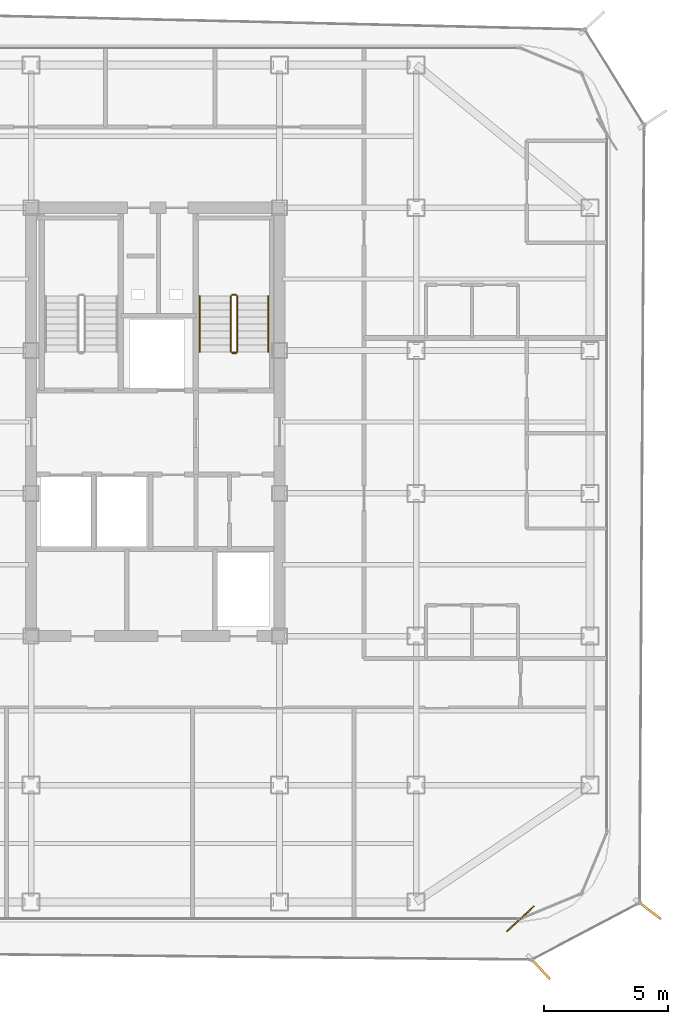
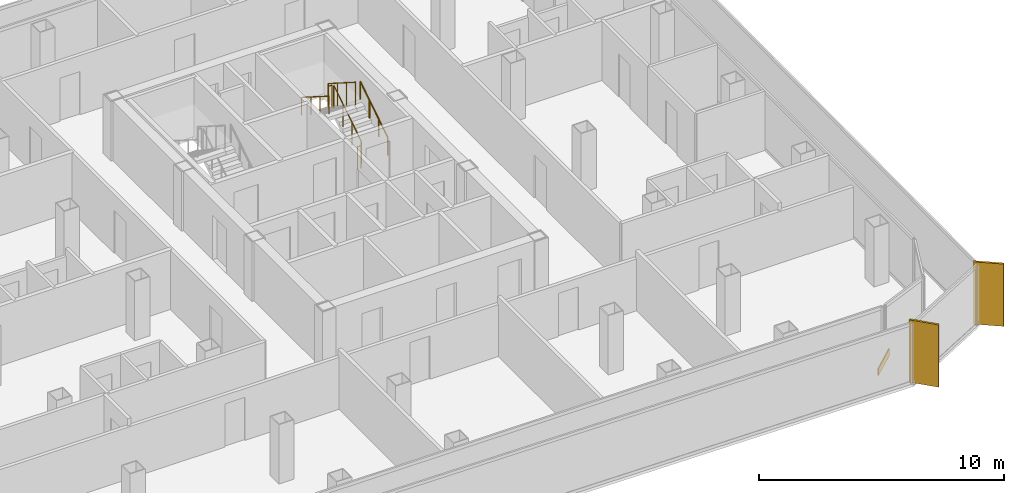
# One storey, part 14 of 15: 6 railings, 2 shading devices, 1 covering.
"""IFC4 building model written with IfcOpenShell, lengths in metres."""

import ifcopenshell
import ifcopenshell.guid

model = None  # the IFC model being written
_history = None  # IfcOwnerHistory: only IFC2X3 demands one
_inside = {}  # id of a spatial element -> (the spatial element, [elements in it])
_under = {}  # id of a project, library or spatial element -> (it, [spatial elements below it])
_declared = {}  # id of a project -> (the project, [libraries it declares])
_typed = {}  # id of a type object -> (the type object, [elements of that type])
_made_of = {}  # id of a material, layer set ... -> (it, [elements and type objects made of it])


def new_model(schema):
    """Start an empty IFC model of exactly this schema.

    Asked for "IFC4X3", IfcOpenShell would pick the latest addendum, in which some entities
    have other attributes; the version numbers below select the first issue.
    IFC2X3 requires an IfcOwnerHistory on every rooted entity: one is made here for all.
    """
    global model, _history
    if schema == "IFC4X3":
        model = ifcopenshell.file(schema_version=(4, 3, 0, 0))
    else:
        model = ifcopenshell.file(schema=schema)
    _inside.clear()
    _under.clear()
    _declared.clear()
    _typed.clear()
    _made_of.clear()
    _history = None
    if model.schema == "IFC2X3":
        org = make("IfcOrganization", Name="unknown")
        user = make(
            "IfcPersonAndOrganization",
            ThePerson=make("IfcPerson", FamilyName="unknown"),
            TheOrganization=org,
        )
        app = make(
            "IfcApplication",
            ApplicationDeveloper=org,
            Version="unknown",
            ApplicationFullName="unknown",
            ApplicationIdentifier="unknown",
        )
        _history = make(
            "IfcOwnerHistory",
            OwningUser=user,
            OwningApplication=app,
            ChangeAction="ADDED",
            CreationDate=0,
        )
    return model


def make(cls, **values):
    """One entity of the class cls with the attributes given. An attribute that is None is left unset."""
    return model.create_entity(
        cls, **{name: value for name, value in values.items() if value is not None}
    )


def rooted(cls, **values):
    """An entity with a GlobalId (a new one), such as an element, a storey or a relation."""
    return make(cls, GlobalId=ifcopenshell.guid.new(), OwnerHistory=_history, **values)


def si_unit(unit_type, name, prefix=None):
    """IfcSIUnit, for example si_unit("LENGTHUNIT", "METRE", prefix="MILLI")."""
    return make("IfcSIUnit", UnitType=unit_type, Prefix=prefix, Name=name)


def assignment(units):
    """IfcUnitAssignment: the units of a project."""
    return None if units is None else make("IfcUnitAssignment", Units=units)


def point(xyz):
    """IfcCartesianPoint."""
    return None if xyz is None else make("IfcCartesianPoint", Coordinates=xyz)


def direction(xyz):
    """IfcDirection."""
    return None if xyz is None else make("IfcDirection", DirectionRatios=xyz)


def frame(location, z_axis=None, x_axis=None):
    """IfcAxis2Placement3D, a coordinate frame: its origin and axes. An axis left out is left unset."""
    return make(
        "IfcAxis2Placement3D",
        Location=point(location),
        Axis=direction(z_axis),
        RefDirection=direction(x_axis),
    )


def frame_2d(location, x_axis=None):
    """IfcAxis2Placement2D, a coordinate frame in the plane: its origin and x axis."""
    return make(
        "IfcAxis2Placement2D", Location=point(location), RefDirection=direction(x_axis)
    )


def origin():
    """The frame at (0, 0, 0) with its axes left unset."""
    return frame((0.0, 0.0, 0.0))


def origin_2d():
    """The frame at (0, 0) in the plane with its x axis left unset."""
    return frame_2d((0.0, 0.0))


def place(relative_to, where):
    """IfcLocalPlacement: puts the frame where relative to a parent placement (None: the world)."""
    return make(
        "IfcLocalPlacement", PlacementRelTo=relative_to, RelativePlacement=where
    )


def context(
    kind, dimensions, precision=None, world=None, true_north=None, identifier=None
):
    """IfcGeometricRepresentationContext, for example the 3D "Model" context."""
    return make(
        "IfcGeometricRepresentationContext",
        ContextIdentifier=identifier,
        ContextType=kind,
        CoordinateSpaceDimension=dimensions,
        Precision=precision,
        WorldCoordinateSystem=world,
        TrueNorth=true_north,
    )


def subcontext(parent, identifier, kind, view, scale=None):
    """IfcGeometricRepresentationSubContext, for example "Body" below "Model"."""
    return make(
        "IfcGeometricRepresentationSubContext",
        ContextIdentifier=identifier,
        ContextType=kind,
        ParentContext=parent,
        TargetScale=scale,
        TargetView=view,
    )


def project(units=None, contexts=None):
    """IfcProject with its units and contexts."""
    return rooted(
        "IfcProject",
        Name="project",
        RepresentationContexts=contexts,
        UnitsInContext=assignment(units),
    )


def spatial(cls, under=None, at=None, **own):
    """A site, building, storey or space (cls), placed at a placement, below another one or the project."""
    s = rooted(cls, ObjectPlacement=at, **own)
    if under is not None:
        _under.setdefault(under.id(), (under, []))[1].append(s)
    return s


def profile(cls, at=None, kind="AREA", **sizes):
    """A parametric profile (cls). Its sizes go by their IFC names, for example OverallWidth=200.0."""
    return make(cls, ProfileType=kind, Position=at, **sizes)


def rectangle(**sizes):
    """IfcRectangleProfileDef."""
    return profile("IfcRectangleProfileDef", **sizes)


def circle(**sizes):
    """IfcCircleProfileDef."""
    return profile("IfcCircleProfileDef", **sizes)


def extrude(swept, where, along, depth):
    """IfcExtrudedAreaSolid: the profile swept, set in the frame where, extruded along a direction by depth."""
    return make(
        "IfcExtrudedAreaSolid",
        SweptArea=swept,
        Position=where,
        ExtrudedDirection=direction(along),
        Depth=depth,
    )


def shape(context_of_items, identifier, shape_type, items):
    """IfcShapeRepresentation: the items that make up one representation, for example the "Body"."""
    return make(
        "IfcShapeRepresentation",
        ContextOfItems=context_of_items,
        RepresentationIdentifier=identifier,
        RepresentationType=shape_type,
        Items=items,
    )


def source(mapping_origin, context_of_items, identifier, shape_type, items):
    """IfcRepresentationMap: a shape defined once, which mapped items show again and again."""
    return make(
        "IfcRepresentationMap",
        MappingOrigin=mapping_origin,
        MappedRepresentation=shape(context_of_items, identifier, shape_type, items),
    )


def transform(
    local_origin,
    x_axis=None,
    y_axis=None,
    z_axis=None,
    scale=None,
    scale2=None,
    scale3=None,
    uniform=True,
):
    """IfcCartesianTransformationOperator3D, or its non-uniform kind. x_axis, y_axis, z_axis: its Axis1, 2, 3."""
    if uniform:
        return make(
            "IfcCartesianTransformationOperator3D",
            Axis1=direction(x_axis),
            Axis2=direction(y_axis),
            LocalOrigin=point(local_origin),
            Scale=scale,
            Axis3=direction(z_axis),
        )
    return make(
        "IfcCartesianTransformationOperator3DnonUniform",
        Axis1=direction(x_axis),
        Axis2=direction(y_axis),
        LocalOrigin=point(local_origin),
        Scale=scale,
        Axis3=direction(z_axis),
        Scale2=scale2,
        Scale3=scale3,
    )


def mapped(mapping_source, mapping_target):
    """IfcMappedItem: shows the shape of a source again, moved by a transform."""
    return make(
        "IfcMappedItem", MappingSource=mapping_source, MappingTarget=mapping_target
    )


def material(Name=None, Category=None):
    """IfcMaterial."""
    return make("IfcMaterial", Name=Name, Category=Category)


def layer(
    of_material, thickness, ventilated=None, Name=None, Category=None, Priority=None
):
    """IfcMaterialLayer: one layer of a wall or slab, of a material (None: an air gap)."""
    return make(
        "IfcMaterialLayer",
        Material=of_material,
        LayerThickness=thickness,
        IsVentilated=ventilated,
        Name=Name,
        Category=Category,
        Priority=Priority,
    )


def layer_set(layers, Name=None):
    """IfcMaterialLayerSet."""
    return make("IfcMaterialLayerSet", MaterialLayers=layers, LayerSetName=Name)


def made_of(thing, what):
    """Note that an element or type object is made of a material, layer set ...; save() writes the relation."""
    if what is not None:
        _made_of.setdefault(what.id(), (what, []))[1].append(thing)
    return thing


def type_object(cls, material=None, **own):
    """A type object (cls), such as IfcWallType, which elements share."""
    return made_of(rooted(cls, **own), material)


def element(
    cls,
    number,
    at=None,
    inside=None,
    cuts=None,
    type_object=None,
    material=None,
    context=None,
    identifier="Body",
    shape_type=None,
    held_by="IfcProductDefinitionShape",
    body=None,
    shapes=None,
    **own,
):
    """One element of the class cls, such as IfcWall. Its Tag is "e" and its number.

    at: its placement. inside: the storey or other place that contains it. cuts: it is an
    opening in that element (IfcRelVoidsElement). A single representation is given by context,
    identifier, shape_type and body (its items); several are given by shapes. held_by: the class
    of the entity that holds the representations. save() writes the other relations.
    """
    e = rooted(cls, Tag="e%d" % number, ObjectPlacement=at, **own)
    if body is not None:
        shapes = [shape(context, identifier, shape_type, body)]
    if shapes is not None:
        e.Representation = make(held_by, Representations=shapes)
    if inside is not None:
        _inside.setdefault(inside.id(), (inside, []))[1].append(e)
    if cuts is not None:
        rooted(
            "IfcRelVoidsElement", RelatingBuildingElement=cuts, RelatedOpeningElement=e
        )
    if type_object is not None:
        _typed.setdefault(type_object.id(), (type_object, []))[1].append(e)
    return made_of(e, material)


def aggregate(whole, parts):
    """IfcRelAggregates: a whole, such as a stair, and the parts it consists of."""
    return rooted("IfcRelAggregates", RelatingObject=whole, RelatedObjects=parts)


def save(model, path):
    """Write the relations noted so far, then the file.

    IfcRelAggregates (storeys below a building ...), IfcRelContainedInSpatialStructure (elements
    in a storey), IfcRelDefinesByType, IfcRelAssociatesMaterial and IfcRelDeclares: one each for
    every whole, place, type object, material and project.
    """
    for whole, parts in _under.values():
        aggregate(whole, parts)
    for where, things in _inside.values():
        rooted(
            "IfcRelContainedInSpatialStructure",
            RelatedElements=things,
            RelatingStructure=where,
        )
    for kind, things in _typed.values():
        rooted("IfcRelDefinesByType", RelatedObjects=things, RelatingType=kind)
    for what, things in _made_of.values():
        rooted("IfcRelAssociatesMaterial", RelatedObjects=things, RelatingMaterial=what)
    for by, libraries in _declared.values():
        rooted("IfcRelDeclares", RelatingContext=by, RelatedDefinitions=libraries)
    model.write(path)


model = new_model("IFC4")

# Units and contexts
model_context = context("Model", 3, precision=1e-05, world=origin(), true_north=direction((0.0, 1.0)))
body_context = subcontext(model_context, "Body", "Model", "MODEL_VIEW")
ifc_project = project(units=[si_unit("LENGTHUNIT", "METRE"), si_unit("AREAUNIT", "SQUARE_METRE"), si_unit("VOLUMEUNIT", "CUBIC_METRE"), si_unit("PLANEANGLEUNIT", "RADIAN"), si_unit("MASSUNIT", "GRAM", prefix="KILO")], contexts=[model_context])

# Site, building, storey
site_placement = place(None, origin())
site = spatial("IfcSite", under=ifc_project, at=site_placement, CompositionType="ELEMENT")
building_placement = place(site_placement, origin())
building = spatial("IfcBuilding", under=site, at=building_placement, Name="Kolveth Station Tower", CompositionType="ELEMENT")
storey_placement = place(building_placement, frame((0.0, 0.0, 196.39990234375)))
storey = spatial("IfcBuildingStorey", under=building, at=storey_placement, Name="L55", CompositionType="ELEMENT", Elevation=196.39990234375)

# Railings
ifc_material_1 = material(Name="Painted Steel S355 balustrade", Category="steel")
railing_type_1 = type_object("IfcRailingType", Name="Guard_GR2", PredefinedType="BALUSTRADE", material=ifc_material_1)
railing_1_placement = place(storey_placement, frame((26.800048828125, 22.949951171875, 0.177978515625)))
element("IfcRailing", 1, at=railing_1_placement, inside=storey, type_object=railing_type_1, Name="L55 ST2 stair guard 1", PredefinedType="BALUSTRADE", context=body_context, shape_type="SweptSolid", body=[
    extrude(circle(Radius=0.02392578125, at=origin_2d()), frame((0.0, 0.0, 1.1259765625), z_axis=(0.0, 0.8442293374, 0.53598211339), x_axis=(-1.0, 0.0, 0.0)), (0.0, 0.0, 1.0), 2.6533203125),
    extrude(circle(Radius=0.02099609375, at=origin_2d()), origin(), (0.0, 0.0, 1.0), 1.101806640625),
    extrude(circle(Radius=0.02099609375, at=origin_2d()), frame((0.0, 0.74658203125, 0.47412109375)), (0.0, 0.0, 1.0), 1.101806640625),
    extrude(circle(Radius=0.02099609375, at=origin_2d()), frame((0.0, 1.493408203125, 0.947998046875)), (0.0, 0.0, 1.0), 1.101806640625),
    extrude(circle(Radius=0.02099609375, at=origin_2d()), frame((0.0, 2.239990234375, 1.422119140625)), (0.0, 0.0, 1.0), 1.101806640625),
])
railing_2_placement = place(storey_placement, frame((26.75, 25.239990234375, 1.60009765625)))
element("IfcRailing", 2, at=railing_2_placement, inside=storey, type_object=railing_type_1, Name="L55 ST2 stair guard 2", PredefinedType="BALUSTRADE", context=body_context, shape_type="SweptSolid", body=[
    extrude(circle(Radius=0.02392578125, at=origin_2d()), frame((0.0, 0.0, 1.1259765625), z_axis=(-1.0, 0.0, 0.0), x_axis=(0.0, -1.0, 0.0)), (0.0, 0.0, 1.0), 0.159912109375),
    extrude(circle(Radius=0.02099609375, at=origin_2d()), origin(), (0.0, 0.0, 1.0), 1.101806640625),
    extrude(circle(Radius=0.02099609375, at=origin_2d()), frame((-0.159912109375, 0.0, 0.0)), (0.0, 0.0, 1.0), 1.101806640625),
])
railing_3_placement = place(storey_placement, frame((26.5400390625, 25.18994140625, 1.77783203125)))
element("IfcRailing", 3, at=railing_3_placement, inside=storey, type_object=railing_type_1, Name="L55 ST2 stair guard 3", PredefinedType="BALUSTRADE", context=body_context, shape_type="SweptSolid", body=[
    extrude(circle(Radius=0.02392578125, at=origin_2d()), frame((0.0, 0.0, 1.1259765625), z_axis=(0.0, -0.84418770128, 0.536047689118), x_axis=(1.0, 0.0, 0.0)), (0.0, 0.0, 1.0), 2.6533203125),
    extrude(circle(Radius=0.02099609375, at=origin_2d()), origin(), (0.0, 0.0, 1.0), 1.101806640625),
    extrude(circle(Radius=0.02099609375, at=origin_2d()), frame((0.0, -0.74658203125, 0.47412109375)), (0.0, 0.0, 1.0), 1.101806640625),
    extrude(circle(Radius=0.02099609375, at=origin_2d()), frame((0.0, -1.493408203125, 0.9482421875)), (0.0, 0.0, 1.0), 1.101806640625),
    extrude(circle(Radius=0.02099609375, at=origin_2d()), frame((0.0, -2.239990234375, 1.42236328125)), (0.0, 0.0, 1.0), 1.101806640625),
])
railing_4_placement = place(storey_placement, frame((26.75, 22.89990234375, 0.0)))
element("IfcRailing", 4, at=railing_4_placement, inside=storey, type_object=railing_type_1, Name="L55 ST2 stair guard 4", PredefinedType="BALUSTRADE", context=body_context, shape_type="SweptSolid", body=[
    extrude(circle(Radius=0.02392578125, at=origin_2d()), frame((0.0, 0.0, 1.1259765625), z_axis=(-1.0, 0.0, 0.0), x_axis=(0.0, -1.0, 0.0)), (0.0, 0.0, 1.0), 0.159912109375),
    extrude(circle(Radius=0.02099609375, at=origin_2d()), origin(), (0.0, 0.0, 1.0), 1.101806640625),
    extrude(circle(Radius=0.02099609375, at=origin_2d()), frame((-0.159912109375, 0.0, 0.0)), (0.0, 0.0, 1.0), 1.101806640625),
])
ifc_material_2 = material(Name="Brushed stainless steel", Category="steel")
railing_type_2 = type_object("IfcRailingType", Name="Handrail_HR1", PredefinedType="HANDRAIL", material=ifc_material_2)
railing_5_placement = place(storey_placement, frame((28.050048828125, 22.949951171875, 0.177978515625)))
element("IfcRailing", 5, at=railing_5_placement, inside=storey, type_object=railing_type_2, Name="L55 ST2 stair handrail 1", PredefinedType="HANDRAIL", context=body_context, shape_type="SweptSolid", body=[
    extrude(circle(Radius=0.02392578125, at=origin_2d()), frame((0.0, 0.0, 0.8759765625), z_axis=(0.0, 0.8442293374, 0.53598211339), x_axis=(-1.0, 0.0, 0.0)), (0.0, 0.0, 1.0), 2.6533203125),
    extrude(circle(Radius=0.02099609375, at=origin_2d()), origin(), (0.0, 0.0, 1.0), 0.851806640625),
    extrude(circle(Radius=0.02099609375, at=origin_2d()), frame((0.0, 0.74658203125, 0.47412109375)), (0.0, 0.0, 1.0), 0.851806640625),
    extrude(circle(Radius=0.02099609375, at=origin_2d()), frame((0.0, 1.493408203125, 0.947998046875)), (0.0, 0.0, 1.0), 0.851806640625),
    extrude(circle(Radius=0.02099609375, at=origin_2d()), frame((0.0, 2.239990234375, 1.422119140625)), (0.0, 0.0, 1.0), 0.851806640625),
])
railing_6_placement = place(storey_placement, frame((25.2900390625, 25.18994140625, 1.77783203125)))
element("IfcRailing", 6, at=railing_6_placement, inside=storey, type_object=railing_type_2, Name="L55 ST2 stair handrail 2", PredefinedType="HANDRAIL", context=body_context, shape_type="SweptSolid", body=[
    extrude(circle(Radius=0.02392578125, at=origin_2d()), frame((0.0, 0.0, 0.8759765625), z_axis=(0.0, -0.84418770128, 0.536047689118), x_axis=(1.0, 0.0, 0.0)), (0.0, 0.0, 1.0), 2.6533203125),
    extrude(circle(Radius=0.02099609375, at=origin_2d()), origin(), (0.0, 0.0, 1.0), 0.851806640625),
    extrude(circle(Radius=0.02099609375, at=origin_2d()), frame((0.0, -0.74658203125, 0.47412109375)), (0.0, 0.0, 1.0), 0.851806640625),
    extrude(circle(Radius=0.02099609375, at=origin_2d()), frame((0.0, -1.493408203125, 0.9482421875)), (0.0, 0.0, 1.0), 0.851806640625),
    extrude(circle(Radius=0.02099609375, at=origin_2d()), frame((0.0, -2.239990234375, 1.42236328125)), (0.0, 0.0, 1.0), 0.851806640625),
])

# Shading devices
ifc_material_3 = material(Name="Black anodized aluminium 6063-T6", Category="aluminium")
shading_device_type = type_object("IfcShadingDeviceType", Name="FIN_VF1", PredefinedType="USERDEFINED", material=ifc_material_3)
shared_shape_1 = source(origin(), body_context, "Body", "SweptSolid", [
    extrude(rectangle(XDim=1.25, YDim=0.090087890625, at=origin_2d()), origin(), (0.0, 0.0, 1.0), 3.10009765625),
])
for number, where, z_axis, x_axis, name in (
    (7, (38.968994140625, -1.85595703125, 0.0), (0.0, 0.0, 1.0), (0.679569353932, -0.73361126845, 0.0), "L55 Dark-Aluminium Solar Fin 1"),
    (8, (43.35595703125, 0.489013671875, 0.0), (0.0, 0.0, 1.0), (0.794520615517, -0.607237178966, 0.0), "L55 Dark-Aluminium Solar Fin 2"),
):
    element("IfcShadingDevice", number, at=place(storey_placement, frame(where, z_axis=z_axis, x_axis=x_axis)), inside=storey, type_object=shading_device_type, Name=name, ObjectType="FIN", PredefinedType="USERDEFINED", context=body_context, shape_type="MappedRepresentation", body=[
        mapped(shared_shape_1, transform((0.0, 0.0, 0.0), x_axis=(1.0, 0.0, 0.0), y_axis=(0.0, 1.0, 0.0), z_axis=(0.0, 0.0, 1.0), scale=1.0)),
    ])

# Covering
ifc_material_4 = material(Name="Charcoal anodized aluminium spandrel cladding", Category="aluminium")
ifc_layer = layer(ifc_material_4, 0.044921875)
ifc_layer_set = layer_set([ifc_layer], Name="Charcoal anodized aluminium spandrel cladding")
covering_type = type_object("IfcCoveringType", Name="Clad_CD1", PredefinedType="CLADDING", material=ifc_layer_set)
shared_shape_2 = source(origin(), body_context, "Body", "SweptSolid", [
    extrude(rectangle(XDim=1.5, YDim=0.044921875, at=origin_2d()), origin(), (0.0, 0.0, 1.0), 0.360107421875),
])
covering_placement = place(storey_placement, frame((38.199951171875, 0.1201171875, 0.0), z_axis=(0.0, 0.0, 1.0), x_axis=(0.73361126845, 0.679569353932, 0.0)))
element("IfcCovering", 9, at=covering_placement, inside=storey, type_object=covering_type, Name="L55 Spandrel Edge Cladding 1", PredefinedType="CLADDING", context=body_context, shape_type="MappedRepresentation", body=[
    mapped(shared_shape_2, transform((0.0, 0.0, 0.0), x_axis=(1.0, 0.0, 0.0), y_axis=(0.0, 1.0, 0.0), z_axis=(0.0, 0.0, 1.0), scale=1.0)),
])

save(model, "model.ifc")
